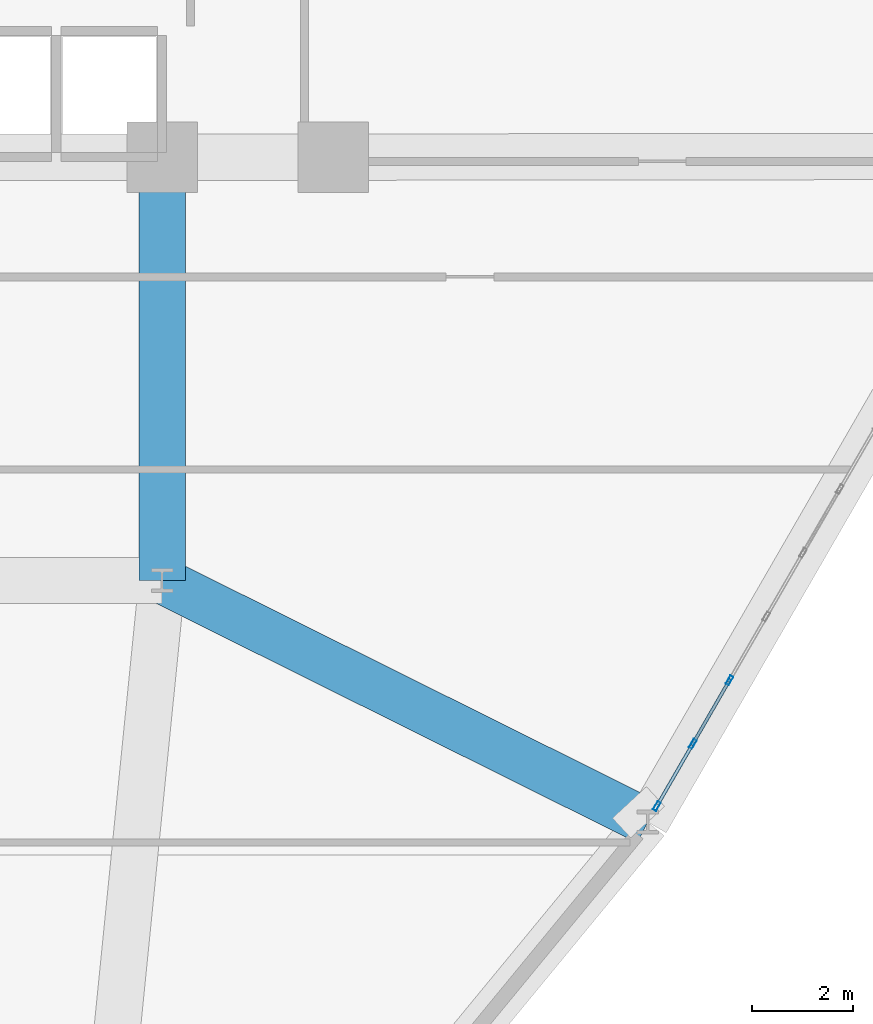
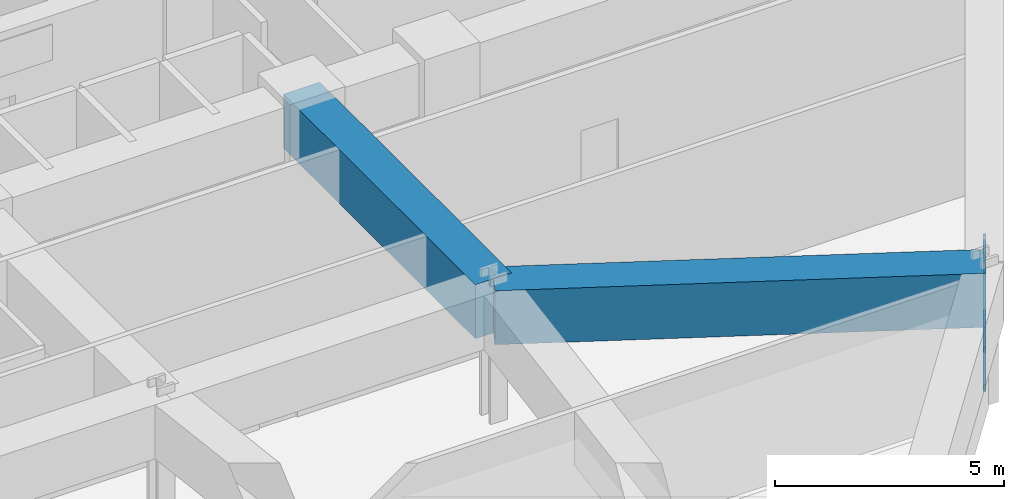
# One storey, part 6 of 18: 8 members, 2 beams, 1 element without a shape of its own.
"""IFC4 building model written with IfcOpenShell, lengths in metres."""

from ifc_helpers import new_model, si_unit, derived_unit, direction, frame, origin, origin_2d, place, context, subcontext, project, spatial, rectangle, hollow_rectangle, extrude, source, transform, mapped, material, layer, layer_set, material_profile, profile_set, type_object, element, aggregate, save


model = new_model("IFC4")

# Units and contexts
model_context = context("Model", 3, precision=1e-05, world=origin(), true_north=direction((0.0, 1.0)))
body_context = subcontext(model_context, "Body", "Model", "MODEL_VIEW")
ifc_project = project(units=[si_unit("LENGTHUNIT", "METRE"), si_unit("AREAUNIT", "SQUARE_METRE"), si_unit("VOLUMEUNIT", "CUBIC_METRE"), si_unit("PLANEANGLEUNIT", "RADIAN"), si_unit("MASSUNIT", "GRAM", prefix="KILO"), derived_unit("THERMALTRANSMITTANCEUNIT", [(si_unit("POWERUNIT", "WATT"), 1), (si_unit("LENGTHUNIT", "METRE"), -2), (si_unit("THERMODYNAMICTEMPERATUREUNIT", "KELVIN"), -1)])], contexts=[model_context])

# Site, building, storey
site_placement = place(None, origin())
site = spatial("IfcSite", under=ifc_project, at=site_placement, CompositionType="ELEMENT")
building_placement = place(site_placement, origin())
building = spatial("IfcBuilding", under=site, at=building_placement, Name="Korsvarv Bourse and Concert Hall", CompositionType="ELEMENT")
storey_placement = place(building_placement, frame((0.0, 0.0, 71.699951171875)))
storey = spatial("IfcBuildingStorey", under=building, at=storey_placement, Name="L17", CompositionType="ELEMENT", Elevation=71.699951171875)

# Beams
ifc_material_1 = material(Name="Concrete C50/60", Category="concrete")
ifc_material_profile_1 = material_profile(ifc_material_1, rectangle(XDim=0.919921875, YDim=1.43994140625, at=origin_2d()), Name="RC-BM 920x1440")
ifc_profile_set_1 = profile_set([ifc_material_profile_1], Name="Concrete C50/60")
beam_type = type_object("IfcBeamType", Name="BM-TR-144", PredefinedType="BEAM", material=ifc_profile_set_1)
shared_shape_1 = source(origin(), body_context, "Body", "SweptSolid", [
    extrude(rectangle(XDim=0.919921875, YDim=1.43994140625, at=origin_2d()), origin(), (0.0, 0.0, 1.0), 8.39990234375),
])
beam_1_placement = place(storey_placement, frame((44.39990234375, 24.0, 2.9599609375), z_axis=(0.0, 1.0, 0.0), x_axis=(-1.0, 0.0, 0.0)))
element("IfcBeam", 1, at=beam_1_placement, inside=storey, type_object=beam_type, Name="L17 beam B-TR4", PredefinedType="BEAM", context=body_context, shape_type="MappedRepresentation", body=[
    mapped(shared_shape_1, transform((0.0, 0.0, 0.0), scale=1.0)),
])
shared_shape_2 = source(origin(), body_context, "Body", "SweptSolid", [
    extrude(rectangle(XDim=0.919921875, YDim=1.43994140625, at=origin_2d()), origin(), (0.0, 0.0, 1.0), 10.760009765625),
])
beam_2_placement = place(storey_placement, frame((54.033447265625, 19.206787109375, 2.9599609375), z_axis=(-0.89530128692, 0.445461115743, 0.0), x_axis=(-0.445461115743, -0.89530128692, 0.0)))
element("IfcBeam", 2, at=beam_2_placement, inside=storey, type_object=beam_type, Name="L17 beam B-TR4", PredefinedType="BEAM", context=body_context, shape_type="MappedRepresentation", body=[
    mapped(shared_shape_2, transform((0.0, 0.0, 0.0), scale=1.0)),
])

# Curtain wall, members
ifc_material_2 = material(Name="Anodised aluminium and triple low-E glazing", Category="glass")
ifc_layer = layer(ifc_material_2, 0.219970703125)
ifc_layer_set = layer_set([ifc_layer], Name="Anodised aluminium and triple low-E glazing")
curtain_wall_type = type_object("IfcCurtainWallType", Name="CW-SYS-1", PredefinedType="NOTDEFINED", material=ifc_layer_set)
curtain_wall_placement = place(storey_placement, origin())
curtain_wall = element("IfcCurtainWall", 3, at=curtain_wall_placement, inside=storey, type_object=curtain_wall_type, Name="L17 CW1 curtain wall CW-L17-F11", PredefinedType="NOTDEFINED")
ifc_material_3 = material(Name="Extruded aluminium EN AW-6063 T66", Category="aluminium")
ifc_material_profile_2 = material_profile(ifc_material_3, hollow_rectangle(XDim=0.070068359375, YDim=0.18994140625, WallThickness=0.0048828125, at=origin_2d()), Name="ALU-M 70x190")
ifc_profile_set_2 = profile_set([ifc_material_profile_2], Name="Extruded aluminium EN AW-6063 T66")
member_type_1 = type_object("IfcMemberType", Name="CWM-190", PredefinedType="MULLION", material=ifc_profile_set_2)
shared_shape_3 = source(origin(), body_context, "Body", "SweptSolid", [
    extrude(hollow_rectangle(XDim=0.070068359375, YDim=0.18994140625, WallThickness=0.0048828125, at=origin_2d()), origin(), (0.0, 0.0, 1.0), 2.080078125),
])
member_1_placement = place(storey_placement, frame((54.216552734375, 19.52392578125, 0.0), z_axis=(0.0, 0.0, 1.0), x_axis=(-0.86602191759, 0.500006038217, 0.0)))
member_1 = element("IfcMember", 4, at=member_1_placement, type_object=member_type_1, Name="CW1 mullion 1", PredefinedType="MULLION", context=body_context, shape_type="MappedRepresentation", body=[
    mapped(shared_shape_3, transform((0.0, 0.0, 0.0), scale=1.0)),
])
member_2_placement = place(storey_placement, frame((54.9287109375, 20.75732421875, 0.0), z_axis=(0.0, 0.0, 1.0), x_axis=(-0.86602191759, 0.500006038217, 0.0)))
member_2 = element("IfcMember", 5, at=member_2_placement, type_object=member_type_1, Name="CW1 mullion 2", PredefinedType="MULLION", context=body_context, shape_type="MappedRepresentation", body=[
    mapped(shared_shape_3, transform((0.0, 0.0, 0.0), scale=1.0)),
])
member_3_placement = place(storey_placement, frame((55.658203125, 22.020751953125, 0.0), z_axis=(0.0, 0.0, 1.0), x_axis=(-0.86602191759, 0.500006038217, 0.0)))
member_3 = element("IfcMember", 6, at=member_3_placement, type_object=member_type_1, Name="CW1 mullion 3", PredefinedType="MULLION", context=body_context, shape_type="MappedRepresentation", body=[
    mapped(shared_shape_3, transform((0.0, 0.0, 0.0), scale=1.0)),
])
ifc_material_profile_3 = material_profile(ifc_material_3, hollow_rectangle(XDim=0.06494140625, YDim=0.139892578125, WallThickness=0.00390625, at=origin_2d()), Name="ALU-T 65x140")
ifc_profile_set_3 = profile_set([ifc_material_profile_3], Name="Extruded aluminium EN AW-6063 T66")
member_type_2 = type_object("IfcMemberType", Name="CWT-140", PredefinedType="USERDEFINED", material=ifc_profile_set_3)
shared_shape_4 = source(origin(), body_context, "Body", "SweptSolid", [
    extrude(hollow_rectangle(XDim=0.06494140625, YDim=0.139892578125, WallThickness=0.00390625, at=origin_2d()), origin(), (0.0, 0.0, 1.0), 1.35400390625),
])
member_4_placement = place(storey_placement, frame((54.234130859375, 19.554443359375, 0.032470703125), z_axis=(0.499998195608, 0.866026445548, 0.0), x_axis=(-0.866026445548, 0.499998195608, 0.0)))
member_4 = element("IfcMember", 7, at=member_4_placement, type_object=member_type_2, Name="CW1 transom 1.1", ObjectType="TRANSOM", PredefinedType="USERDEFINED", context=body_context, shape_type="MappedRepresentation", body=[
    mapped(shared_shape_4, transform((0.0, 0.0, 0.0), scale=1.0)),
])
member_5_placement = place(storey_placement, frame((54.234130859375, 19.554443359375, 2.047607421875), z_axis=(0.499998195608, 0.866026445548, 0.0), x_axis=(-0.866026445548, 0.499998195608, 0.0)))
member_5 = element("IfcMember", 8, at=member_5_placement, type_object=member_type_2, Name="CW1 transom 1.2", ObjectType="TRANSOM", PredefinedType="USERDEFINED", context=body_context, shape_type="MappedRepresentation", body=[
    mapped(shared_shape_4, transform((0.0, 0.0, 0.0), scale=1.0)),
])
shared_shape_5 = source(origin(), body_context, "Body", "SweptSolid", [
    extrude(hollow_rectangle(XDim=0.06494140625, YDim=0.139892578125, WallThickness=0.00390625, at=origin_2d()), origin(), (0.0, 0.0, 1.0), 1.388916015625),
])
member_6_placement = place(storey_placement, frame((54.946044921875, 20.78759765625, 0.032470703125), z_axis=(0.500052099036, 0.865995322302, 0.0), x_axis=(-0.865995322302, 0.500052099036, 0.0)))
member_6 = element("IfcMember", 9, at=member_6_placement, type_object=member_type_2, Name="CW1 transom 2.1", ObjectType="TRANSOM", PredefinedType="USERDEFINED", context=body_context, shape_type="MappedRepresentation", body=[
    mapped(shared_shape_5, transform((0.0, 0.0, 0.0), scale=1.0)),
])
member_7_placement = place(storey_placement, frame((54.946044921875, 20.78759765625, 2.047607421875), z_axis=(0.500052099036, 0.865995322302, 0.0), x_axis=(-0.865995322302, 0.500052099036, 0.0)))
member_7 = element("IfcMember", 10, at=member_7_placement, type_object=member_type_2, Name="CW1 transom 2.2", ObjectType="TRANSOM", PredefinedType="USERDEFINED", context=body_context, shape_type="MappedRepresentation", body=[
    mapped(shared_shape_5, transform((0.0, 0.0, 0.0), scale=1.0)),
])
ifc_material_profile_4 = material_profile(ifc_material_3, hollow_rectangle(XDim=0.06494140625, YDim=0.1650390625, WallThickness=0.0048828125, at=origin_2d()), Name="ALU-M 65x165")
ifc_profile_set_4 = profile_set([ifc_material_profile_4], Name="Extruded aluminium EN AW-6063 T66")
member_type_3 = type_object("IfcMemberType", Name="CWM-165", PredefinedType="MULLION", material=ifc_profile_set_4)
shared_shape_6 = source(origin(), body_context, "Body", "SweptSolid", [
    extrude(hollow_rectangle(XDim=0.06494140625, YDim=0.1650390625, WallThickness=0.0048828125, at=origin_2d()), origin(), (0.0, 0.0, 1.0), 2.394287109375),
])
member_8_placement = place(storey_placement, frame((54.946044921875, 20.78759765625, 0.06494140625), z_axis=(0.290098533415, 0.502395597235, 0.814519186262), x_axis=(-0.865995322302, 0.500052099036, 0.0)))
member_8 = element("IfcMember", 11, at=member_8_placement, type_object=member_type_3, Name="CW1 diagonal mullion 2", PredefinedType="MULLION", context=body_context, shape_type="MappedRepresentation", body=[
    mapped(shared_shape_6, transform((0.0, 0.0, 0.0), scale=1.0)),
])
aggregate(curtain_wall, [member_1, member_2, member_3, member_4, member_5, member_6, member_7, member_8])

save(model, "model.ifc")
